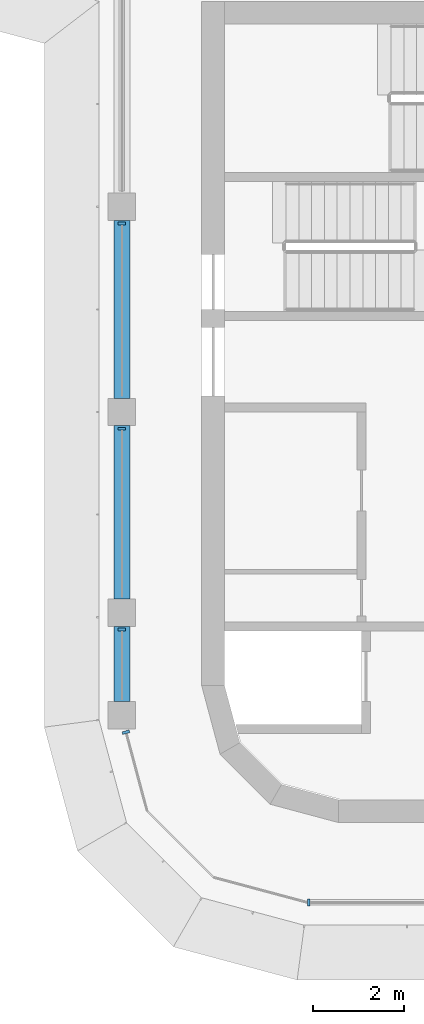
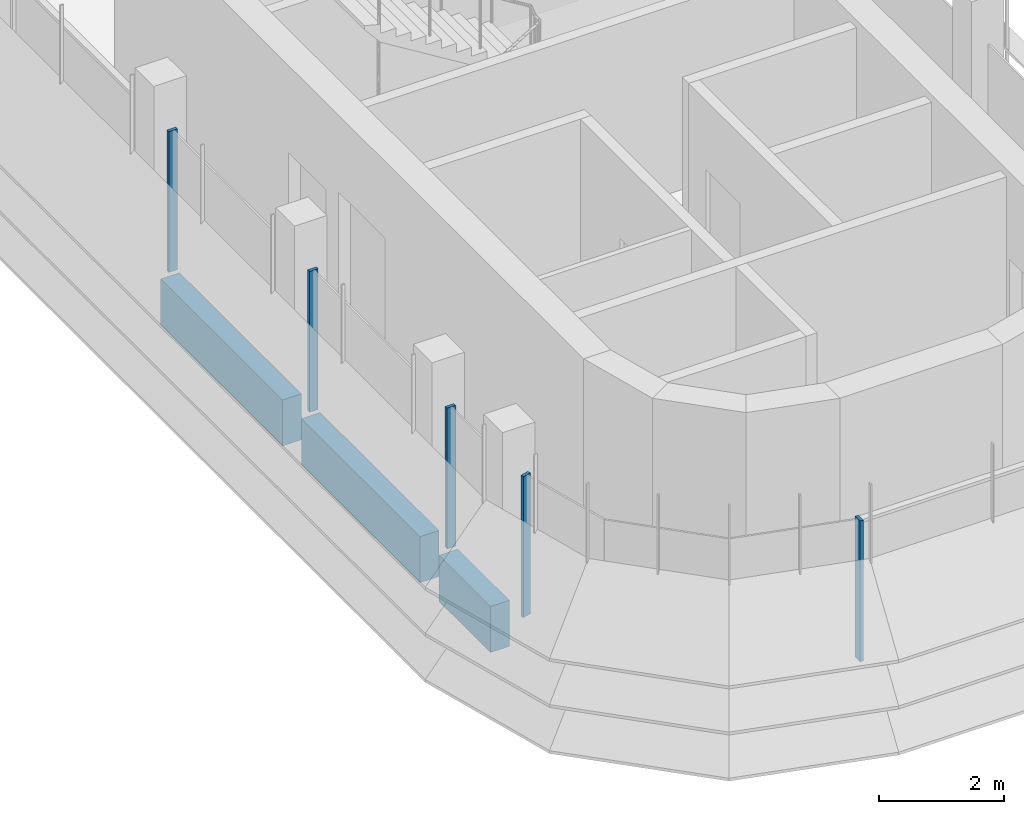
# One storey, part 2 of 19: 5 members, 3 beams, 3 elements without a shape of their own.
"""IFC4 building model written with IfcOpenShell, lengths in metres."""

from ifc_helpers import new_model, si_unit, direction, frame, origin, origin_2d, place, context, subcontext, project, spatial, polyline, rectangle, outline, extrude, source, transform, mapped, material, material_profile, profile_set, type_object, element, aggregate, save


model = new_model("IFC4")

# Units and contexts
model_context = context("Model", 3, precision=1e-05, world=origin(), true_north=direction((0.0, 1.0)))
body_context = subcontext(model_context, "Body", "Model", "MODEL_VIEW")
ifc_project = project(units=[si_unit("LENGTHUNIT", "METRE"), si_unit("AREAUNIT", "SQUARE_METRE"), si_unit("VOLUMEUNIT", "CUBIC_METRE"), si_unit("PLANEANGLEUNIT", "RADIAN"), si_unit("MASSUNIT", "GRAM", prefix="KILO")], contexts=[model_context])

# Site, building, storey
site_placement = place(None, origin())
site = spatial("IfcSite", under=ifc_project, at=site_placement, CompositionType="ELEMENT")
building_placement = place(site_placement, origin())
building = spatial("IfcBuilding", under=site, at=building_placement, Name="Zarbagh Exchange Tower", CompositionType="ELEMENT")
storey_placement = place(building_placement, frame((0.0, 0.0, 280.199951171875)))
storey = spatial("IfcBuildingStorey", under=building, at=storey_placement, Name="L69", CompositionType="ELEMENT", Elevation=280.199951171875)

# Beams
ifc_material_1 = material(Name="Concrete C40/50", Category="concrete")
ifc_material_profile = material_profile(ifc_material_1, rectangle(XDim=0.35009765625, YDim=0.89990234375, at=origin_2d()), Name="RC spandrel beam 350 x 900 C40/50")
ifc_profile_set = profile_set([ifc_material_profile], Name="Concrete C40/50")
beam_type = type_object("IfcBeamType", Name="RC spandrel beam 350 x 900 C40/50", PredefinedType="SPANDREL", material=ifc_profile_set)
beam_1_placement = place(storey_placement, frame((-6.25, -26.60009765625, -0.599853515625), z_axis=(0.0, 1.0, 0.0), x_axis=(-1.0, 0.0, 0.0)))
element("IfcBeam", 1, at=beam_1_placement, inside=storey, type_object=beam_type, Name="RC spandrel beam", PredefinedType="SPANDREL", context=body_context, shape_type="SweptSolid", body=[
    extrude(rectangle(XDim=0.35009765625, YDim=0.89990234375, at=origin_2d()), origin(), (0.0, 0.0, 1.0), 1.650146484375),
])
beam_2_placement = place(storey_placement, frame((-6.25, -24.35009765625, -0.599853515625), z_axis=(0.0, 1.0, 0.0), x_axis=(-1.0, 0.0, 0.0)))
element("IfcBeam", 2, at=beam_2_placement, inside=storey, type_object=beam_type, Name="RC spandrel beam", PredefinedType="SPANDREL", context=body_context, shape_type="SweptSolid", body=[
    extrude(rectangle(XDim=0.35009765625, YDim=0.89990234375, at=origin_2d()), origin(), (0.0, 0.0, 1.0), 3.800048828125),
])
beam_3_placement = place(storey_placement, frame((-6.25, -19.949951171875, -0.599853515625), z_axis=(0.0, 1.0, 0.0), x_axis=(-1.0, 0.0, 0.0)))
element("IfcBeam", 3, at=beam_3_placement, inside=storey, type_object=beam_type, Name="RC spandrel beam", PredefinedType="SPANDREL", context=body_context, shape_type="SweptSolid", body=[
    extrude(rectangle(XDim=0.35009765625, YDim=0.89990234375, at=origin_2d()), origin(), (0.0, 0.0, 1.0), 3.89990234375),
])

# Curtain wall, members
ifc_material_2 = material(Name="Anodised aluminium frame and glazing", Category="aluminium")
curtain_wall_type = type_object("IfcCurtainWallType", Name="CWB Ribbon glazing, upper zones", PredefinedType="NOTDEFINED", material=ifc_material_2)
curtain_wall_1_placement = place(storey_placement, origin())
curtain_wall_1 = element("IfcCurtainWall", 4, at=curtain_wall_1_placement, inside=storey, type_object=curtain_wall_type, Name="CWB53 curtain wall", PredefinedType="NOTDEFINED")
ifc_material_3 = material(Name="Anodised aluminium frame", Category="aluminium")
member_type = type_object("IfcMemberType", Name="MUB Mullion, anodised aluminium frame", PredefinedType="MULLION", material=ifc_material_3)
shared_shape = source(origin(), body_context, "Body", "SweptSolid", [
    extrude(outline(polyline([(0.0, -0.080078125), (0.06005859375, -0.080078125), (0.06005859375, 0.080078125), (0.0, 0.080078125), (0.0, -0.080078125)])), origin(), (0.0, 0.0, 1.0), 2.75),
])
placement = place(storey_placement, origin())
member_1 = element("IfcMember", 5, at=placement, type_object=member_type, Name="CWB53 mullion 2.1", PredefinedType="MULLION", context=body_context, shape_type="MappedRepresentation", body=[
    mapped(shared_shape, transform((-6.25, -16.090087890625, 0.0), x_axis=(0.0, -1.0, 0.0), y_axis=(1.0, 0.0, 0.0), z_axis=(0.0, 0.0, 1.0))),
])
member_2 = element("IfcMember", 6, at=placement, type_object=member_type, Name="CWB53 mullion 3.1", PredefinedType="MULLION", context=body_context, shape_type="MappedRepresentation", body=[
    mapped(shared_shape, transform((-6.25, -20.590087890625, 0.0), x_axis=(0.0, -1.0, 0.0), y_axis=(1.0, 0.0, 0.0), z_axis=(0.0, 0.0, 1.0))),
])
member_3 = element("IfcMember", 7, at=placement, type_object=member_type, Name="CWB53 mullion 4.1", PredefinedType="MULLION", context=body_context, shape_type="MappedRepresentation", body=[
    mapped(shared_shape, transform((-6.25, -24.989990234375, 0.0), x_axis=(0.0, -1.0, 0.0), y_axis=(1.0, 0.0, 0.0), z_axis=(0.0, 0.0, 1.0))),
])
aggregate(curtain_wall_1, [member_1, member_2, member_3])

# Curtain wall, member
curtain_wall_2_placement = place(storey_placement, origin())
curtain_wall_2 = element("IfcCurtainWall", 8, at=curtain_wall_2_placement, inside=storey, type_object=curtain_wall_type, Name="CWB54 curtain wall", PredefinedType="NOTDEFINED")
member_4 = element("IfcMember", 9, at=placement, type_object=member_type, Name="CWB54 mullion 1.1", PredefinedType="MULLION", context=body_context, shape_type="MappedRepresentation", body=[
    mapped(shared_shape, transform((-6.16796875, -27.239990234375, 0.0), x_axis=(0.258824779902, -0.965924289636, 0.0), y_axis=(0.965924289636, 0.258824779902, 0.0), z_axis=(0.0, 0.0, 1.0))),
])
aggregate(curtain_wall_2, [member_4])

curtain_wall_3_placement = place(storey_placement, origin())
curtain_wall_3 = element("IfcCurtainWall", 10, at=curtain_wall_3_placement, inside=storey, type_object=curtain_wall_type, Name="CWB57 curtain wall", PredefinedType="NOTDEFINED")
member_5 = element("IfcMember", 11, at=placement, type_object=member_type, Name="CWB57 mullion 1.1", PredefinedType="MULLION", context=body_context, shape_type="MappedRepresentation", body=[
    mapped(shared_shape, transform((-2.18408203125, -31.0, 0.0), x_axis=(1.0, 0.0, 0.0), y_axis=(0.0, 1.0, 0.0), z_axis=(0.0, 0.0, 1.0))),
])
aggregate(curtain_wall_3, [member_5])

save(model, "model.ifc")
